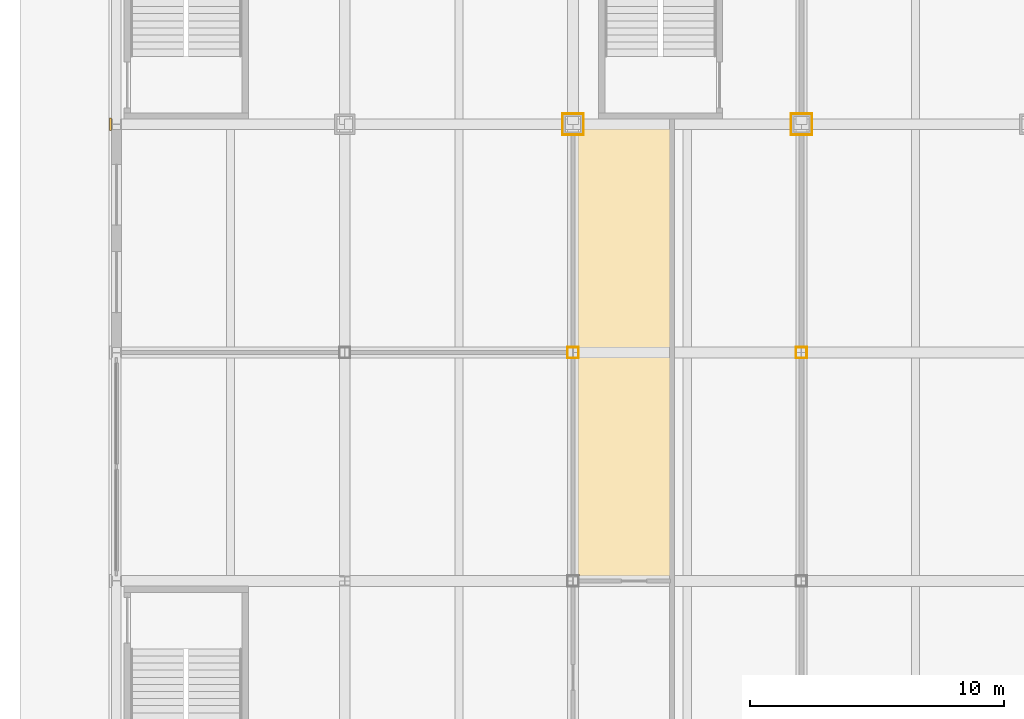
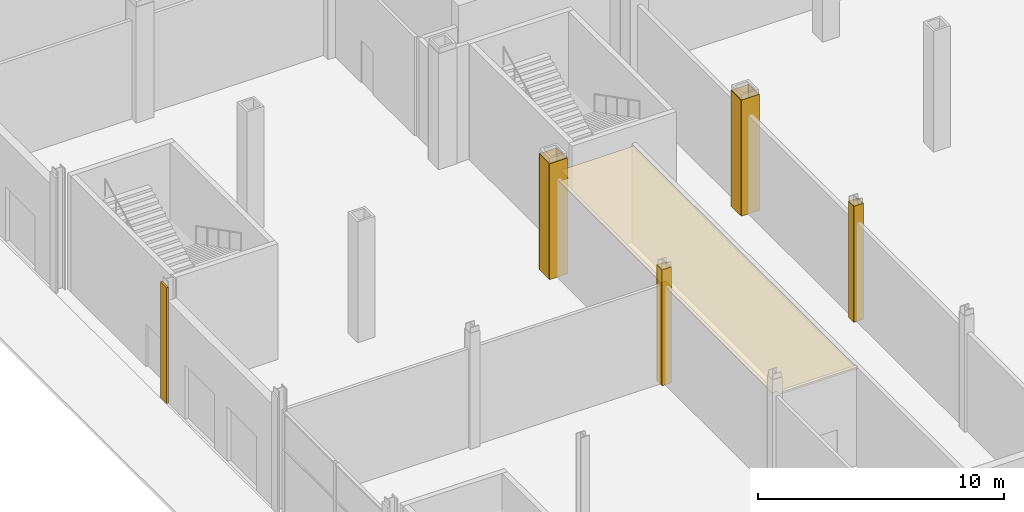
# One storey, part 27 of 34: 18 coverings.
"""IFC4 building model written with IfcOpenShell, lengths in metres."""

from ifc_helpers import new_model, si_unit, direction, frame, origin, origin_2d, place, context, subcontext, project, spatial, polyline, rectangle, outline, extrude, material, layer, layer_set, type_object, element, save


model = new_model("IFC4")

# Units and contexts
model_context = context("Model", 3, precision=1e-05, world=origin(), true_north=direction((0.0, 1.0)))
body_context = subcontext(model_context, "Body", "Model", "MODEL_VIEW")
ifc_project = project(units=[si_unit("LENGTHUNIT", "METRE"), si_unit("AREAUNIT", "SQUARE_METRE"), si_unit("VOLUMEUNIT", "CUBIC_METRE"), si_unit("PLANEANGLEUNIT", "RADIAN"), si_unit("MASSUNIT", "GRAM", prefix="KILO")], contexts=[model_context])

# Site, building, storey
site_placement = place(None, origin())
site = spatial("IfcSite", under=ifc_project, at=site_placement, CompositionType="ELEMENT")
building_placement = place(site_placement, origin())
building = spatial("IfcBuilding", under=site, at=building_placement, Name="Loomwork Tower", CompositionType="ELEMENT")
storey_placement = place(building_placement, origin())
storey = spatial("IfcBuildingStorey", under=building, at=storey_placement, Name="L00", CompositionType="ELEMENT", Elevation=0.0)

# Coverings
ifc_material_1 = material(Name="Two-hour fire-rated gypsum board casing")
ifc_layer_1 = layer(ifc_material_1, 0.02490234375)
ifc_layer_set_1 = layer_set([ifc_layer_1], Name="Column fire casing 25")
covering_type_1 = type_object("IfcCoveringType", Name="Column fire casing 25", PredefinedType="CLADDING", material=ifc_layer_set_1)
for number, where, z_axis, x_axis, name in (
    (1, (9.0, -8.7880859375, 0.0), (0.0, 0.0, 1.0), (1.0, 0.0, 0.0), "Column casing 9 -9 L00"),
    (2, (9.0, -9.2119140625, 0.0), (0.0, 0.0, 1.0), (1.0, 0.0, 0.0), "Column casing 9 -9 L00"),
):
    element("IfcCovering", number, at=place(storey_placement, frame(where, z_axis=z_axis, x_axis=x_axis)), inside=storey, type_object=covering_type_1, Name=name, PredefinedType="CLADDING", context=body_context, shape_type="SweptSolid", body=[
        extrude(rectangle(XDim=0.451416015625, YDim=0.02490234375, at=origin_2d()), origin(), (0.0, 0.0, 1.0), 5.75),
    ])
for number, where, z_axis, x_axis, name in (
    (3, (9.213134765625, -9.0, 0.0), (0.0, 0.0, 1.0), (1.0, 0.0, 0.0), "Column casing 9 -9 L00"),
    (4, (8.786865234375, -9.0, 0.0), (0.0, 0.0, 1.0), (1.0, 0.0, 0.0), "Column casing 9 -9 L00"),
):
    element("IfcCovering", number, at=place(storey_placement, frame(where, z_axis=z_axis, x_axis=x_axis)), inside=storey, type_object=covering_type_1, Name=name, PredefinedType="CLADDING", context=body_context, shape_type="SweptSolid", body=[
        extrude(rectangle(XDim=0.02490234375, YDim=0.398681640625, at=origin_2d()), origin(), (0.0, 0.0, 1.0), 5.75),
    ])
for number, where, z_axis, x_axis, name in (
    (5, (9.0, 0.41259765625, 0.0), (0.0, 0.0, 1.0), (1.0, 0.0, 0.0), "Column casing 9 0 L00"),
    (6, (9.0, -0.41259765625, 0.0), (0.0, 0.0, 1.0), (1.0, 0.0, 0.0), "Column casing 9 0 L00"),
):
    element("IfcCovering", number, at=place(storey_placement, frame(where, z_axis=z_axis, x_axis=x_axis)), inside=storey, type_object=covering_type_1, Name=name, PredefinedType="CLADDING", context=body_context, shape_type="SweptSolid", body=[
        extrude(rectangle(XDim=0.85009765625, YDim=0.02490234375, at=origin_2d()), origin(), (0.0, 0.0, 1.0), 5.75),
    ])
for number, where, z_axis, x_axis, name in (
    (7, (9.41259765625, 0.0, 0.0), (0.0, 0.0, 1.0), (1.0, 0.0, 0.0), "Column casing 9 0 L00"),
    (8, (8.58740234375, 0.0, 0.0), (0.0, 0.0, 1.0), (1.0, 0.0, 0.0), "Column casing 9 0 L00"),
):
    element("IfcCovering", number, at=place(storey_placement, frame(where, z_axis=z_axis, x_axis=x_axis)), inside=storey, type_object=covering_type_1, Name=name, PredefinedType="CLADDING", context=body_context, shape_type="SweptSolid", body=[
        extrude(rectangle(XDim=0.02490234375, YDim=0.800048828125, at=origin_2d()), origin(), (0.0, 0.0, 1.0), 5.75),
    ])
for number, where, z_axis, x_axis, name in (
    (9, (18.0, -8.7880859375, 0.0), (0.0, 0.0, 1.0), (1.0, 0.0, 0.0), "Column casing 18 -9 L00"),
    (10, (18.0, -9.2119140625, 0.0), (0.0, 0.0, 1.0), (1.0, 0.0, 0.0), "Column casing 18 -9 L00"),
):
    element("IfcCovering", number, at=place(storey_placement, frame(where, z_axis=z_axis, x_axis=x_axis)), inside=storey, type_object=covering_type_1, Name=name, PredefinedType="CLADDING", context=body_context, shape_type="SweptSolid", body=[
        extrude(rectangle(XDim=0.451416015625, YDim=0.02490234375, at=origin_2d()), origin(), (0.0, 0.0, 1.0), 5.75),
    ])
for number, where, z_axis, x_axis, name in (
    (11, (18.213134765625, -9.0, 0.0), (0.0, 0.0, 1.0), (1.0, 0.0, 0.0), "Column casing 18 -9 L00"),
    (12, (17.786865234375, -9.0, 0.0), (0.0, 0.0, 1.0), (1.0, 0.0, 0.0), "Column casing 18 -9 L00"),
):
    element("IfcCovering", number, at=place(storey_placement, frame(where, z_axis=z_axis, x_axis=x_axis)), inside=storey, type_object=covering_type_1, Name=name, PredefinedType="CLADDING", context=body_context, shape_type="SweptSolid", body=[
        extrude(rectangle(XDim=0.02490234375, YDim=0.398681640625, at=origin_2d()), origin(), (0.0, 0.0, 1.0), 5.75),
    ])
for number, where, z_axis, x_axis, name in (
    (13, (18.0, 0.41259765625, 0.0), (0.0, 0.0, 1.0), (1.0, 0.0, 0.0), "Column casing 18 0 L00"),
    (14, (18.0, -0.41259765625, 0.0), (0.0, 0.0, 1.0), (1.0, 0.0, 0.0), "Column casing 18 0 L00"),
):
    element("IfcCovering", number, at=place(storey_placement, frame(where, z_axis=z_axis, x_axis=x_axis)), inside=storey, type_object=covering_type_1, Name=name, PredefinedType="CLADDING", context=body_context, shape_type="SweptSolid", body=[
        extrude(rectangle(XDim=0.85009765625, YDim=0.02490234375, at=origin_2d()), origin(), (0.0, 0.0, 1.0), 5.75),
    ])
for number, where, z_axis, x_axis, name in (
    (15, (18.41259765625, 0.0, 0.0), (0.0, 0.0, 1.0), (1.0, 0.0, 0.0), "Column casing 18 0 L00"),
    (16, (17.58740234375, 0.0, 0.0), (0.0, 0.0, 1.0), (1.0, 0.0, 0.0), "Column casing 18 0 L00"),
):
    element("IfcCovering", number, at=place(storey_placement, frame(where, z_axis=z_axis, x_axis=x_axis)), inside=storey, type_object=covering_type_1, Name=name, PredefinedType="CLADDING", context=body_context, shape_type="SweptSolid", body=[
        extrude(rectangle(XDim=0.02490234375, YDim=0.800048828125, at=origin_2d()), origin(), (0.0, 0.0, 1.0), 5.75),
    ])
ifc_material_2 = material(Name="Limestone", Category="masonry")
ifc_layer_2 = layer(ifc_material_2, 0.080078125)
ifc_layer_set_2 = layer_set([ifc_layer_2], Name="Limestone pier facing 80")
covering_type_2 = type_object("IfcCoveringType", Name="Limestone pier facing 80", PredefinedType="CLADDING", material=ifc_layer_set_2)
covering_1_placement = place(storey_placement, frame((-9.239501953125, 0.0, 0.0), z_axis=(0.0, 0.0, 1.0), x_axis=(1.0, 0.0, 0.0)))
element("IfcCovering", 17, at=covering_1_placement, inside=storey, type_object=covering_type_2, Name="Pier facing D/1 L00", PredefinedType="CLADDING", context=body_context, shape_type="SweptSolid", body=[
    extrude(rectangle(XDim=0.080078125, YDim=0.501220703125, at=origin_2d()), origin(), (0.0, 0.0, 1.0), 5.75),
])
ifc_material_3 = material(Name="Mineral fibre acoustic tile on suspension grid")
ifc_layer_3 = layer(ifc_material_3, 0.02490234375)
ifc_layer_set_3 = layer_set([ifc_layer_3], Name="Suspended acoustic ceiling")
covering_type_3 = type_object("IfcCoveringType", Name="Suspended acoustic ceiling", PredefinedType="CEILING", material=ifc_layer_set_3)
covering_2_placement = place(storey_placement, frame((0.0, 0.0, 4.72509765625)))
element("IfcCovering", 18, at=covering_2_placement, inside=storey, type_object=covering_type_3, Name="Ceiling Guest lounge L00", PredefinedType="CEILING", context=body_context, shape_type="SweptSolid", body=[
    extrude(outline(polyline([(10.0, 0.199951171875), (12.89990234375, 0.199951171875), (12.89990234375, -18.0), (9.250732421875, -18.0), (9.250732421875, -17.75048828125), (9.0, -17.75048828125), (9.0, -9.24951171875), (9.250732421875, -9.24951171875), (9.250732421875, -8.75048828125), (9.0, -8.75048828125), (9.0, -0.449951171875), (9.449951171875, -0.449951171875), (9.449951171875, 0.199951171875), (10.0, 0.199951171875)])), origin(), (0.0, 0.0, 1.0), 0.02490234375),
])

save(model, "model.ifc")
